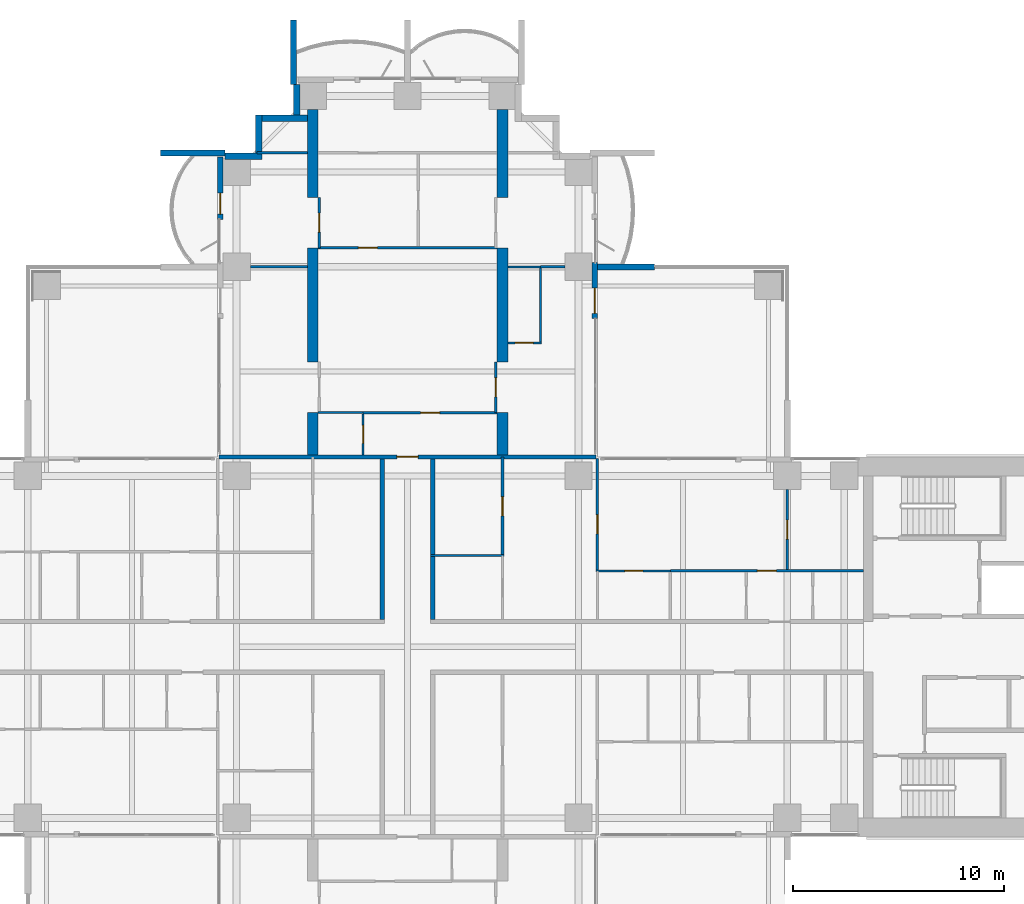
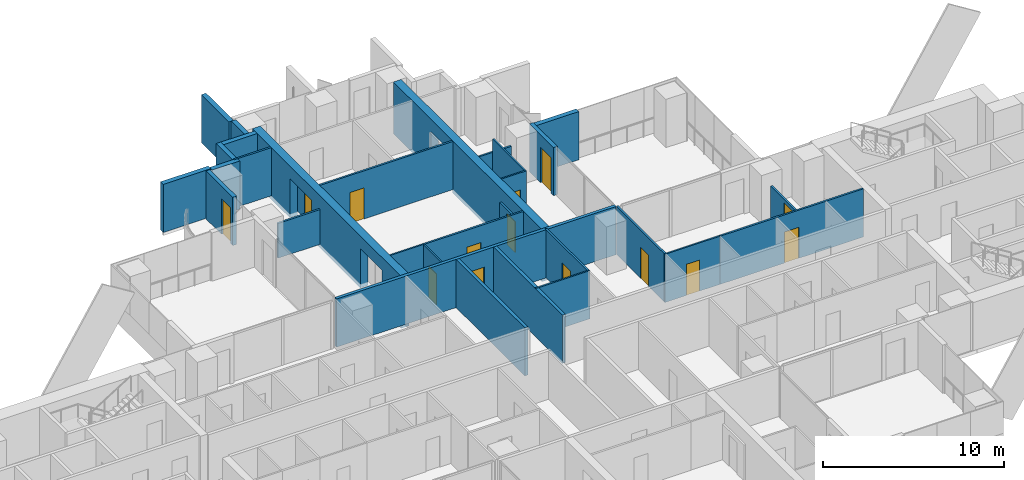
# One storey, part 15 of 21: 32 walls, 14 doors, 14 openings.
"""IFC4 building model written with IfcOpenShell, lengths in metres."""

from ifc_helpers import new_model, si_unit, direction, frame, frame_2d, origin, place, context, subcontext, project, spatial, polyline, rectangle, outline, extrude, material, layer, layer_set, material_profile, profile_set, type_object, element, fill, save


model = new_model("IFC4")

# Units and contexts
model_context = context("Model", 3, precision=1e-05, world=origin(), true_north=direction((0.0, 1.0)))
body_context = subcontext(model_context, "Body", "Model", "MODEL_VIEW")
ifc_project = project(units=[si_unit("LENGTHUNIT", "METRE"), si_unit("AREAUNIT", "SQUARE_METRE"), si_unit("VOLUMEUNIT", "CUBIC_METRE"), si_unit("PLANEANGLEUNIT", "RADIAN"), si_unit("MASSUNIT", "GRAM", prefix="KILO")], contexts=[model_context])

# Site, building, storey
site_placement = place(None, origin())
site = spatial("IfcSite", under=ifc_project, at=site_placement, CompositionType="ELEMENT")
building_placement = place(site_placement, origin())
building = spatial("IfcBuilding", under=site, at=building_placement, Name="Perihelion Cross Residences", CompositionType="ELEMENT")
storey_placement = place(building_placement, frame((0.0, 0.0, 75.0)))
storey = spatial("IfcBuildingStorey", under=building, at=storey_placement, Name="L16", CompositionType="ELEMENT", Elevation=75.0)

# Walls
ifc_material_1 = material(Name="Plasterboard partition")
ifc_layer_1 = layer(ifc_material_1, 0.199951171875)
ifc_layer_set_1 = layer_set([ifc_layer_1], Name="Apartment separation wall 200")
wall_type_1 = type_object("IfcWallType", Name="Apartment separation wall 200", PredefinedType="PARTITIONING", material=ifc_layer_set_1)
for number, where, z_axis, x_axis, name in (
    (1, (1.199951171875, 8.89990234375, 0.0), (0.0, 0.0, 1.0), (0.0, -1.0, 0.0), "Partition L16 W002"),
    (2, (-1.199951171875, 1.300048828125, 0.0), (0.0, 0.0, 1.0), (0.0, 1.0, 0.0), "Partition L16 W006"),
):
    element("IfcWall", number, at=place(storey_placement, frame(where, z_axis=z_axis, x_axis=x_axis)), inside=storey, type_object=wall_type_1, Name=name, PredefinedType="PARTITIONING", context=body_context, shape_type="SweptSolid", body=[
        extrude(rectangle(XDim=7.599853515625, YDim=0.199951171875, at=frame_2d((3.7998046875, 0.0))), origin(), (0.0, 0.0, 1.0), 3.25),
    ])

# Wall, opening, door
wall_1_placement = place(storey_placement, frame((-8.919921875, 9.0, 0.0), z_axis=(0.0, 0.0, 1.0), x_axis=(1.0, 0.0, 0.0)))
wall_1 = element("IfcWall", 3, at=wall_1_placement, inside=storey, type_object=wall_type_1, Name="Partition L16 W009", PredefinedType="PARTITIONING", context=body_context, shape_type="SweptSolid", body=[
    extrude(rectangle(XDim=17.83984375, YDim=0.199951171875, at=frame_2d((8.919921875, 0.0))), origin(), (0.0, 0.0, 1.0), 3.25),
])
opening_1_placement = place(wall_1_placement, frame((8.419921875, 0.0, 0.0)))
opening_1 = element("IfcOpeningElement", 4, at=opening_1_placement, cuts=wall_1, Name="Opening L16.A32", PredefinedType="OPENING", context=body_context, shape_type="SweptSolid", body=[
    extrude(rectangle(XDim=1.0, YDim=2.10009765625, at=frame_2d((0.5, 1.050048828125))), frame((0.0, 0.10986328125, 0.0), z_axis=(0.0, -1.0, 0.0), x_axis=(1.0, 0.0, 0.0)), (0.0, 0.0, 1.0), 0.219970703125),
])
ifc_material_2 = material(Name="Timber door leaf", Category="wood")
door_type_1 = type_object("IfcDoorType", Name="Flat entrance door 1000 x 2100", OperationType="SINGLE_SWING_LEFT", PredefinedType="DOOR", material=ifc_material_2)
door_1_placement = place(opening_1_placement, origin())
door_1 = element("IfcDoor", 5, at=door_1_placement, inside=storey, type_object=door_type_1, Name="Door L16.A32", OperationType="SINGLE_SWING_RIGHT", OverallHeight=2.10009765625, OverallWidth=1.0, PredefinedType="DOOR", context=body_context, shape_type="SweptSolid", body=[
    extrude(rectangle(XDim=1.0, YDim=2.10009765625, at=frame_2d((0.5, 1.050048828125))), frame((0.0, 0.02490234375, 0.0), z_axis=(0.0, -1.0, 0.0), x_axis=(1.0, 0.0, 0.0)), (0.0, 0.0, 1.0), 0.050048828125),
])
fill(opening_1, door_1)

ifc_material_3 = material(Name="Concrete C30/37, bronze-clad", Category="concrete")
ifc_layer_2 = layer(ifc_material_3, 0.25)
ifc_layer_set_2 = layer_set([ifc_layer_2], Name="Bronze-clad pier wall 250")
wall_type_2 = type_object("IfcWallType", Name="Bronze-clad pier wall 250", PredefinedType="SOLIDWALL", material=ifc_layer_set_2)
wall_2_placement = place(storey_placement, frame((8.875, 15.550048828125, 0.0), z_axis=(0.0, 0.0, 1.0), x_axis=(0.0, 1.0, 0.0)))
wall_2 = element("IfcWall", 6, at=wall_2_placement, inside=storey, type_object=wall_type_2, Name="Wall FW1 L16 north side east bay 1 pier", PredefinedType="SOLIDWALL", context=body_context, shape_type="SweptSolid", body=[
    extrude(rectangle(XDim=2.64990234375, YDim=0.25, at=frame_2d((1.324951171875, 0.0))), origin(), (0.0, 0.0, 1.0), 3.25),
])
opening_2_placement = place(wall_2_placement, frame((0.25, 0.0, 0.0)))
opening_2 = element("IfcOpeningElement", 7, at=opening_2_placement, cuts=wall_2, Name="Opening L16.E02", PredefinedType="OPENING", context=body_context, shape_type="SweptSolid", body=[
    extrude(rectangle(XDim=1.199951171875, YDim=2.39990234375, at=frame_2d((0.60009765625, 1.199951171875))), frame((0.0, 0.135009765625, 0.0), z_axis=(0.0, -1.0, 0.0), x_axis=(1.0, 0.0, 0.0)), (0.0, 0.0, 1.0), 0.27001953125),
])
ifc_material_4 = material(Name="Bronze anodised aluminium, glazed", Category="aluminium")
door_type_2 = type_object("IfcDoorType", Name="Balcony door 1200 x 2400", OperationType="NOTDEFINED", PredefinedType="DOOR", material=ifc_material_4)
door_2_placement = place(opening_2_placement, origin())
door_2 = element("IfcDoor", 8, at=door_2_placement, inside=storey, type_object=door_type_2, Name="Door L16.E02 north side east bay 1", OperationType="SINGLE_SWING_LEFT", OverallHeight=2.39990234375, OverallWidth=1.199951171875, PredefinedType="DOOR", context=body_context, shape_type="SweptSolid", body=[
    extrude(rectangle(XDim=1.199951171875, YDim=2.39990234375, at=frame_2d((0.60009765625, 1.199951171875))), frame((0.0, 0.02490234375, 0.0), z_axis=(0.0, -1.0, 0.0), x_axis=(1.0, 0.0, 0.0)), (0.0, 0.0, 1.0), 0.050048828125),
])
fill(opening_2, door_2)

wall_3_placement = place(storey_placement, frame((-8.875, 23.199951171875, 0.0), z_axis=(0.0, 0.0, 1.0), x_axis=(0.0, -1.0, 0.0)))
wall_3 = element("IfcWall", 9, at=wall_3_placement, inside=storey, type_object=wall_type_2, Name="Wall FW1 L16 north side west bay 1 pier", PredefinedType="SOLIDWALL", context=body_context, shape_type="SweptSolid", body=[
    extrude(rectangle(XDim=2.949951171875, YDim=0.25, at=frame_2d((1.47509765625, 0.0))), origin(), (0.0, 0.0, 1.0), 3.25),
])
opening_3_placement = place(wall_3_placement, frame((1.699951171875, 0.0, 0.0)))
opening_3 = element("IfcOpeningElement", 10, at=opening_3_placement, cuts=wall_3, Name="Opening L16.E06", PredefinedType="OPENING", context=body_context, shape_type="SweptSolid", body=[
    extrude(rectangle(XDim=1.0, YDim=2.39990234375, at=frame_2d((0.5, 1.199951171875))), frame((0.0, 0.135009765625, 0.0), z_axis=(0.0, -1.0, 0.0), x_axis=(1.0, 0.0, 0.0)), (0.0, 0.0, 1.0), 0.27001953125),
])
ifc_material_5 = material(Name="Bronze anodised aluminium, glazed", Category="aluminium")
door_type_3 = type_object("IfcDoorType", Name="Balcony door 1000 x 2400", OperationType="NOTDEFINED", PredefinedType="DOOR", material=ifc_material_5)
door_3_placement = place(opening_3_placement, origin())
door_3 = element("IfcDoor", 11, at=door_3_placement, inside=storey, type_object=door_type_3, Name="Door L16.E06 north side west bay 1", OperationType="SINGLE_SWING_LEFT", OverallHeight=2.39990234375, OverallWidth=1.0, PredefinedType="DOOR", context=body_context, shape_type="SweptSolid", body=[
    extrude(rectangle(XDim=1.0, YDim=2.39990234375, at=frame_2d((0.5, 1.199951171875))), frame((0.0, 0.02490234375, 0.0), z_axis=(0.0, -1.0, 0.0), x_axis=(1.0, 0.0, 0.0)), (0.0, 0.0, 1.0), 0.050048828125),
])
fill(opening_3, door_3)

# Walls
ifc_material_6 = material(Name="Concrete C30/37, bronze-clad", Category="concrete")
ifc_layer_3 = layer(ifc_material_6, 0.300048828125)
ifc_layer_set_3 = layer_set([ifc_layer_3], Name="Bronze-clad serration wall 300")
wall_type_3 = type_object("IfcWallType", Name="Bronze-clad serration wall 300", PredefinedType="SOLIDWALL", material=ifc_layer_set_3)
wall_4_placement = place(storey_placement, frame((-5.25, 26.64990234375, 0.0), z_axis=(0.0, 0.0, 1.0), x_axis=(0.0, -1.0, 0.0)))
element("IfcWall", 12, at=wall_4_placement, inside=storey, type_object=wall_type_3, Name="Wall SR1 L16 north corner north-west 1", PredefinedType="SOLIDWALL", context=body_context, shape_type="SweptSolid", body=[
    extrude(rectangle(XDim=1.449951171875, YDim=0.300048828125, at=frame_2d((0.72509765625, 0.0))), origin(), (0.0, 0.0, 1.0), 3.25),
])
wall_5_placement = place(storey_placement, frame((-4.75, 25.050048828125, 0.0), z_axis=(0.0, 0.0, 1.0), x_axis=(-1.0, 0.0, 0.0)))
element("IfcWall", 13, at=wall_5_placement, inside=storey, type_object=wall_type_3, Name="Wall SR1 L16 north corner north-west 2", PredefinedType="SOLIDWALL", context=body_context, shape_type="SweptSolid", body=[
    extrude(rectangle(XDim=2.14990234375, YDim=0.300048828125, at=frame_2d((1.074951171875, 0.0))), origin(), (0.0, 0.0, 1.0), 3.25),
])
wall_6_placement = place(storey_placement, frame((-7.050048828125, 25.199951171875, 0.0), z_axis=(0.0, 0.0, 1.0), x_axis=(0.0, -1.0, 0.0)))
element("IfcWall", 14, at=wall_6_placement, inside=storey, type_object=wall_type_3, Name="Wall SR1 L16 north corner north-west 3", PredefinedType="SOLIDWALL", context=body_context, shape_type="SweptSolid", body=[
    extrude(rectangle(XDim=1.800048828125, YDim=0.300048828125, at=frame_2d((0.89990234375, 0.0))), origin(), (0.0, 0.0, 1.0), 3.25),
])
wall_7_placement = place(storey_placement, frame((-6.89990234375, 23.25, 0.0), z_axis=(0.0, 0.0, 1.0), x_axis=(-1.0, 0.0, 0.0)))
element("IfcWall", 15, at=wall_7_placement, inside=storey, type_object=wall_type_3, Name="Wall SR1 L16 north corner north-west 4", PredefinedType="SOLIDWALL", context=body_context, shape_type="SweptSolid", body=[
    extrude(rectangle(XDim=1.75, YDim=0.300048828125, at=frame_2d((0.875, 0.0))), origin(), (0.0, 0.0, 1.0), 3.25),
])

# Wall, opening, door
ifc_material_7 = material(Name="Plasterboard partition")
ifc_layer_4 = layer(ifc_material_7, 0.1201171875)
ifc_layer_set_4 = layer_set([ifc_layer_4], Name="Infill panel 120")
wall_type_4 = type_object("IfcWallType", Name="Infill panel 120", PredefinedType="PARTITIONING", material=ifc_layer_set_4)
wall_8_placement = place(storey_placement, frame((4.18994140625, 11.10009765625, 0.0), z_axis=(0.0, 0.0, 1.0), x_axis=(0.0, 1.0, 0.0)))
wall_8 = element("IfcWall", 16, at=wall_8_placement, inside=storey, type_object=wall_type_4, Name="Partition L16 WI01", PredefinedType="PARTITIONING", context=body_context, shape_type="SweptSolid", body=[
    extrude(rectangle(XDim=2.39990234375, YDim=0.1201171875, at=frame_2d((1.199951171875, 0.0))), origin(), (0.0, 0.0, 1.0), 2.39990234375),
])
opening_4_placement = place(wall_8_placement, frame((0.75, 0.0, 0.0)))
opening_4 = element("IfcOpeningElement", 17, at=opening_4_placement, cuts=wall_8, Name="Opening L16.A50", PredefinedType="OPENING", context=body_context, shape_type="SweptSolid", body=[
    extrude(rectangle(XDim=0.89990234375, YDim=2.10009765625, at=frame_2d((0.449951171875, 1.050048828125))), frame((0.0, 0.070068359375, 0.0), z_axis=(0.0, -1.0, 0.0), x_axis=(1.0, 0.0, 0.0)), (0.0, 0.0, 1.0), 0.14013671875),
])
ifc_material_8 = material(Name="Timber door leaf", Category="wood")
door_type_4 = type_object("IfcDoorType", Name="Interior room door 900 x 2100", OperationType="SINGLE_SWING_LEFT", PredefinedType="DOOR", material=ifc_material_8)
door_4_placement = place(opening_4_placement, origin())
door_4 = element("IfcDoor", 18, at=door_4_placement, inside=storey, type_object=door_type_4, Name="Door L16.A50", OperationType="SINGLE_SWING_RIGHT", OverallHeight=2.10009765625, OverallWidth=0.89990234375, PredefinedType="DOOR", context=body_context, shape_type="SweptSolid", body=[
    extrude(rectangle(XDim=0.89990234375, YDim=2.10009765625, at=frame_2d((0.449951171875, 1.050048828125))), frame((0.0, 0.02490234375, 0.0), z_axis=(0.0, -1.0, 0.0), x_axis=(1.0, 0.0, 0.0)), (0.0, 0.0, 1.0), 0.050048828125),
])
fill(opening_4, door_4)

wall_9_placement = place(storey_placement, frame((-4.18994140625, 18.89990234375, 0.0), z_axis=(0.0, 0.0, 1.0), x_axis=(0.0, 1.0, 0.0)))
wall_9 = element("IfcWall", 19, at=wall_9_placement, inside=storey, type_object=wall_type_4, Name="Partition L16 WI04", PredefinedType="PARTITIONING", context=body_context, shape_type="SweptSolid", body=[
    extrude(rectangle(XDim=2.400146484375, YDim=0.1201171875, at=frame_2d((1.2001953125, 0.0))), origin(), (0.0, 0.0, 1.0), 2.39990234375),
])
opening_5_placement = place(wall_9_placement, frame((0.75, 0.0, 0.0)))
opening_5 = element("IfcOpeningElement", 20, at=opening_5_placement, cuts=wall_9, Name="Opening L16.A53", PredefinedType="OPENING", context=body_context, shape_type="SweptSolid", body=[
    extrude(rectangle(XDim=0.89990234375, YDim=2.10009765625, at=frame_2d((0.449951171875, 1.050048828125))), frame((0.0, 0.070068359375, 0.0), z_axis=(0.0, -1.0, 0.0), x_axis=(1.0, 0.0, 0.0)), (0.0, 0.0, 1.0), 0.14013671875),
])
door_5_placement = place(opening_5_placement, origin())
door_5 = element("IfcDoor", 21, at=door_5_placement, inside=storey, type_object=door_type_4, Name="Door L16.A53", OperationType="SINGLE_SWING_RIGHT", OverallHeight=2.10009765625, OverallWidth=0.89990234375, PredefinedType="DOOR", context=body_context, shape_type="SweptSolid", body=[
    extrude(rectangle(XDim=0.89990234375, YDim=2.10009765625, at=frame_2d((0.449951171875, 1.050048828125))), frame((0.0, 0.02490234375, 0.0), z_axis=(0.0, -1.0, 0.0), x_axis=(1.0, 0.0, 0.0)), (0.0, 0.0, 1.0), 0.050048828125),
])
fill(opening_5, door_5)

ifc_material_9 = material(Name="Plasterboard partition")
ifc_layer_5 = layer(ifc_material_9, 0.1201171875)
ifc_layer_set_5 = layer_set([ifc_layer_5], Name="Partition wall 120")
wall_type_5 = type_object("IfcWallType", Name="Partition wall 120", PredefinedType="PARTITIONING", material=ifc_layer_set_5)
wall_10_placement = place(storey_placement, frame((12.449951171875, 3.60009765625, 0.0), z_axis=(0.0, 0.0, 1.0), x_axis=(1.0, 0.0, 0.0)))
wall_10 = element("IfcWall", 22, at=wall_10_placement, inside=storey, type_object=wall_type_5, Name="Partition L16 W015", PredefinedType="PARTITIONING", context=body_context, shape_type="SweptSolid", body=[
    extrude(rectangle(XDim=9.150146484375, YDim=0.1201171875, at=frame_2d((4.5751953125, 0.0))), origin(), (0.0, 0.0, 1.0), 3.25),
])
opening_6_placement = place(wall_10_placement, frame((4.125, 0.0, 0.0)))
opening_6 = element("IfcOpeningElement", 23, at=opening_6_placement, cuts=wall_10, Name="Opening L16.A03", PredefinedType="OPENING", context=body_context, shape_type="SweptSolid", body=[
    extrude(rectangle(XDim=0.89990234375, YDim=2.10009765625, at=frame_2d((0.449951171875, 1.050048828125))), frame((0.0, 0.070068359375, 0.0), z_axis=(0.0, -1.0, 0.0), x_axis=(1.0, 0.0, 0.0)), (0.0, 0.0, 1.0), 0.14013671875),
])
door_6_placement = place(opening_6_placement, origin())
door_6 = element("IfcDoor", 24, at=door_6_placement, inside=storey, type_object=door_type_4, Name="Door L16.A03", OperationType="SINGLE_SWING_LEFT", OverallHeight=2.10009765625, OverallWidth=0.89990234375, PredefinedType="DOOR", context=body_context, shape_type="SweptSolid", body=[
    extrude(rectangle(XDim=0.89990234375, YDim=2.10009765625, at=frame_2d((0.449951171875, 1.050048828125))), frame((0.0, 0.02490234375, 0.0), z_axis=(0.0, -1.0, 0.0), x_axis=(1.0, 0.0, 0.0)), (0.0, 0.0, 1.0), 0.050048828125),
])
fill(opening_6, door_6)

wall_11_placement = place(storey_placement, frame((18.0, 7.449951171875, 0.0), z_axis=(0.0, 0.0, 1.0), x_axis=(0.0, -1.0, 0.0)))
wall_11 = element("IfcWall", 25, at=wall_11_placement, inside=storey, type_object=wall_type_5, Name="Partition L16 W017", PredefinedType="PARTITIONING", context=body_context, shape_type="SweptSolid", body=[
    extrude(rectangle(XDim=3.7900390625, YDim=0.1201171875, at=frame_2d((1.89501953125, 0.0))), origin(), (0.0, 0.0, 1.0), 2.345947265625),
])
opening_7_placement = place(wall_11_placement, frame((1.445068359375, 0.0, 0.0)))
opening_7 = element("IfcOpeningElement", 26, at=opening_7_placement, cuts=wall_11, Name="Opening L16.A01", PredefinedType="OPENING", context=body_context, shape_type="SweptSolid", body=[
    extrude(rectangle(XDim=0.89990234375, YDim=2.10009765625, at=frame_2d((0.449951171875, 1.050048828125))), frame((0.0, 0.070068359375, 0.0), z_axis=(0.0, -1.0, 0.0), x_axis=(1.0, 0.0, 0.0)), (0.0, 0.0, 1.0), 0.14013671875),
])
door_7_placement = place(opening_7_placement, origin())
door_7 = element("IfcDoor", 27, at=door_7_placement, inside=storey, type_object=door_type_4, Name="Door L16.A01", OperationType="SINGLE_SWING_LEFT", OverallHeight=2.10009765625, OverallWidth=0.89990234375, PredefinedType="DOOR", context=body_context, shape_type="SweptSolid", body=[
    extrude(rectangle(XDim=0.89990234375, YDim=2.10009765625, at=frame_2d((0.449951171875, 1.050048828125))), frame((0.0, 0.02490234375, 0.0), z_axis=(0.0, -1.0, 0.0), x_axis=(1.0, 0.0, 0.0)), (0.0, 0.0, 1.0), 0.050048828125),
])
fill(opening_7, door_7)

wall_12_placement = place(storey_placement, frame((9.0, 3.60009765625, 0.0), z_axis=(0.0, 0.0, 1.0), x_axis=(0.0, 1.0, 0.0)))
wall_12 = element("IfcWall", 28, at=wall_12_placement, inside=storey, type_object=wall_type_5, Name="Partition L16 W018", PredefinedType="PARTITIONING", context=body_context, shape_type="SweptSolid", body=[
    extrude(rectangle(XDim=5.31982421875, YDim=0.1201171875, at=frame_2d((2.659912109375, 0.0))), origin(), (0.0, 0.0, 1.0), 3.25),
])
opening_8_placement = place(wall_12_placement, frame((1.75, 0.0, 0.0)))
opening_8 = element("IfcOpeningElement", 29, at=opening_8_placement, cuts=wall_12, Name="Opening L16.A05", PredefinedType="OPENING", context=body_context, shape_type="SweptSolid", body=[
    extrude(rectangle(XDim=0.89990234375, YDim=2.10009765625, at=frame_2d((0.449951171875, 1.050048828125))), frame((0.0, 0.070068359375, 0.0), z_axis=(0.0, -1.0, 0.0), x_axis=(1.0, 0.0, 0.0)), (0.0, 0.0, 1.0), 0.14013671875),
])
door_8_placement = place(opening_8_placement, origin())
door_8 = element("IfcDoor", 30, at=door_8_placement, inside=storey, type_object=door_type_4, Name="Door L16.A05", OperationType="SINGLE_SWING_RIGHT", OverallHeight=2.10009765625, OverallWidth=0.89990234375, PredefinedType="DOOR", context=body_context, shape_type="SweptSolid", body=[
    extrude(rectangle(XDim=0.89990234375, YDim=2.10009765625, at=frame_2d((0.449951171875, 1.050048828125))), frame((0.0, 0.02490234375, 0.0), z_axis=(0.0, -1.0, 0.0), x_axis=(1.0, 0.0, 0.0)), (0.0, 0.0, 1.0), 0.050048828125),
])
fill(opening_8, door_8)

wall_13_placement = place(storey_placement, frame((4.5, 4.320068359375, 0.0), z_axis=(0.0, 0.0, 1.0), x_axis=(0.0, 1.0, 0.0)))
wall_13 = element("IfcWall", 31, at=wall_13_placement, inside=storey, type_object=wall_type_5, Name="Partition L16 W020", PredefinedType="PARTITIONING", context=body_context, shape_type="SweptSolid", body=[
    extrude(rectangle(XDim=4.679931640625, YDim=0.1201171875, at=frame_2d((2.33984375, 0.0))), origin(), (0.0, 0.0, 1.0), 3.25),
])
opening_9_placement = place(wall_13_placement, frame((1.889892578125, 0.0, 0.0)))
opening_9 = element("IfcOpeningElement", 32, at=opening_9_placement, cuts=wall_13, Name="Opening L16.A06", PredefinedType="OPENING", context=body_context, shape_type="SweptSolid", body=[
    extrude(rectangle(XDim=0.89990234375, YDim=2.10009765625, at=frame_2d((0.449951171875, 1.050048828125))), frame((0.0, 0.070068359375, 0.0), z_axis=(0.0, -1.0, 0.0), x_axis=(1.0, 0.0, 0.0)), (0.0, 0.0, 1.0), 0.14013671875),
])
door_9_placement = place(opening_9_placement, origin())
door_9 = element("IfcDoor", 33, at=door_9_placement, inside=storey, type_object=door_type_4, Name="Door L16.A06", OperationType="SINGLE_SWING_LEFT", OverallHeight=2.10009765625, OverallWidth=0.89990234375, PredefinedType="DOOR", context=body_context, shape_type="SweptSolid", body=[
    extrude(rectangle(XDim=0.89990234375, YDim=2.10009765625, at=frame_2d((0.449951171875, 1.050048828125))), frame((0.0, 0.02490234375, 0.0), z_axis=(0.0, -1.0, 0.0), x_axis=(1.0, 0.0, 0.0)), (0.0, 0.0, 1.0), 0.050048828125),
])
fill(opening_9, door_9)

wall_14_placement = place(storey_placement, frame((-2.10009765625, 11.10009765625, 0.0), z_axis=(0.0, 0.0, 1.0), x_axis=(1.0, 0.0, 0.0)))
wall_14 = element("IfcWall", 34, at=wall_14_placement, inside=storey, type_object=wall_type_5, Name="Partition L16 W054", PredefinedType="PARTITIONING", context=body_context, shape_type="SweptSolid", body=[
    extrude(rectangle(XDim=6.35009765625, YDim=0.1201171875, at=frame_2d((3.175048828125, 0.0))), origin(), (0.0, 0.0, 1.0), 3.25),
])
opening_10_placement = place(wall_14_placement, frame((2.72509765625, 0.0, 0.0)))
opening_10 = element("IfcOpeningElement", 35, at=opening_10_placement, cuts=wall_14, Name="Opening L16.A34", PredefinedType="OPENING", context=body_context, shape_type="SweptSolid", body=[
    extrude(rectangle(XDim=0.89990234375, YDim=2.10009765625, at=frame_2d((0.449951171875, 1.050048828125))), frame((0.0, 0.070068359375, 0.0), z_axis=(0.0, -1.0, 0.0), x_axis=(1.0, 0.0, 0.0)), (0.0, 0.0, 1.0), 0.14013671875),
])
door_10_placement = place(opening_10_placement, origin())
door_10 = element("IfcDoor", 36, at=door_10_placement, inside=storey, type_object=door_type_4, Name="Door L16.A34", OperationType="SINGLE_SWING_RIGHT", OverallHeight=2.10009765625, OverallWidth=0.89990234375, PredefinedType="DOOR", context=body_context, shape_type="SweptSolid", body=[
    extrude(rectangle(XDim=0.89990234375, YDim=2.10009765625, at=frame_2d((0.449951171875, 1.050048828125))), frame((0.0, 0.02490234375, 0.0), z_axis=(0.0, -1.0, 0.0), x_axis=(1.0, 0.0, 0.0)), (0.0, 0.0, 1.0), 0.050048828125),
])
fill(opening_10, door_10)

wall_15_placement = place(storey_placement, frame((-4.25, 18.89990234375, 0.0), z_axis=(0.0, 0.0, 1.0), x_axis=(1.0, 0.0, 0.0)))
wall_15 = element("IfcWall", 37, at=wall_15_placement, inside=storey, type_object=wall_type_5, Name="Partition L16 W056", PredefinedType="PARTITIONING", context=body_context, shape_type="SweptSolid", body=[
    extrude(rectangle(XDim=8.5, YDim=0.1201171875, at=frame_2d((4.25, 0.0))), origin(), (0.0, 0.0, 1.0), 3.25),
])
opening_11_placement = place(wall_15_placement, frame((1.925048828125, 0.0, 0.0)))
opening_11 = element("IfcOpeningElement", 38, at=opening_11_placement, cuts=wall_15, Name="Opening L16.A35", PredefinedType="OPENING", context=body_context, shape_type="SweptSolid", body=[
    extrude(rectangle(XDim=0.89990234375, YDim=2.10009765625, at=frame_2d((0.449951171875, 1.050048828125))), frame((0.0, 0.070068359375, 0.0), z_axis=(0.0, -1.0, 0.0), x_axis=(1.0, 0.0, 0.0)), (0.0, 0.0, 1.0), 0.14013671875),
])
door_11_placement = place(opening_11_placement, origin())
door_11 = element("IfcDoor", 39, at=door_11_placement, inside=storey, type_object=door_type_4, Name="Door L16.A35", OperationType="SINGLE_SWING_RIGHT", OverallHeight=2.10009765625, OverallWidth=0.89990234375, PredefinedType="DOOR", context=body_context, shape_type="SweptSolid", body=[
    extrude(rectangle(XDim=0.89990234375, YDim=2.10009765625, at=frame_2d((0.449951171875, 1.050048828125))), frame((0.0, 0.02490234375, 0.0), z_axis=(0.0, -1.0, 0.0), x_axis=(1.0, 0.0, 0.0)), (0.0, 0.0, 1.0), 0.050048828125),
])
fill(opening_11, door_11)

# Walls
wall_16_placement = place(storey_placement, frame((6.300048828125, 18.0, 0.0), z_axis=(0.0, 0.0, 1.0), x_axis=(1.0, 0.0, 0.0)))
element("IfcWall", 40, at=wall_16_placement, inside=storey, type_object=wall_type_5, Name="Partition L16 W061", PredefinedType="PARTITIONING", context=body_context, shape_type="SweptSolid", body=[
    extrude(rectangle(XDim=1.14990234375, YDim=0.1201171875, at=frame_2d((0.574951171875, 0.0))), origin(), (0.0, 0.0, 1.0), 2.345947265625),
])
wall_17_placement = place(storey_placement, frame((-7.449951171875, 18.0, 0.0), z_axis=(0.0, 0.0, 1.0), x_axis=(1.0, 0.0, 0.0)))
element("IfcWall", 41, at=wall_17_placement, inside=storey, type_object=wall_type_5, Name="Partition L16 W064", PredefinedType="PARTITIONING", context=body_context, shape_type="SweptSolid", body=[
    extrude(rectangle(XDim=2.699951171875, YDim=0.1201171875, at=frame_2d((1.35009765625, 0.0))), origin(), (0.0, 0.0, 1.0), 2.345947265625),
])
wall_18_placement = place(storey_placement, frame((-7.1201171875, 23.39990234375, 0.0), z_axis=(0.0, 0.0, 1.0), x_axis=(1.0, 0.0, 0.0)))
element("IfcWall", 42, at=wall_18_placement, inside=storey, type_object=wall_type_5, Name="Partition L16 W065", PredefinedType="PARTITIONING", context=body_context, shape_type="SweptSolid", body=[
    extrude(rectangle(XDim=2.3701171875, YDim=0.1201171875, at=frame_2d((1.18505859375, 0.0))), origin(), (0.0, 0.0, 1.0), 3.25),
])
ifc_material_10 = material(Name="Precast concrete C50/60", Category="concrete")
ifc_layer_6 = layer(ifc_material_10, 0.300048828125)
ifc_layer_set_6 = layer_set([ifc_layer_6], Name="Precast concrete C50/60 blade wall 300")
wall_type_6 = type_object("IfcWallType", Name="Precast concrete C50/60 blade wall 300", PredefinedType="SOLIDWALL", material=ifc_layer_set_6)
for number, where, z_axis, x_axis, name in (
    (43, (-8.64990234375, 23.39990234375, 0.0), (0.0, 0.0, 1.0), (-1.0, 0.0, 0.0), "Wall BL1 L16 no. 8"),
    (44, (-5.39990234375, 26.64990234375, 0.0), (0.0, 0.0, 1.0), (0.0, 1.0, 0.0), "Wall BL1 L16 no. 4"),
):
    element("IfcWall", number, at=place(storey_placement, frame(where, z_axis=z_axis, x_axis=x_axis)), inside=storey, type_object=wall_type_6, Name=name, PredefinedType="SOLIDWALL", context=body_context, shape_type="SweptSolid", body=[
        extrude(rectangle(XDim=3.050048828125, YDim=0.300048828125, at=frame_2d((1.52490234375, 0.0))), origin(), (0.0, 0.0, 1.0), 3.25),
    ])
wall_19_placement = place(storey_placement, frame((8.75, 18.0, 0.0), z_axis=(0.0, 0.0, 1.0), x_axis=(1.0, 0.0, 0.0)))
element("IfcWall", 45, at=wall_19_placement, inside=storey, type_object=wall_type_6, Name="Wall BL1 L16 no. 17", PredefinedType="SOLIDWALL", context=body_context, shape_type="SweptSolid", body=[
    extrude(rectangle(XDim=2.949951171875, YDim=0.300048828125, at=frame_2d((1.47509765625, 0.0))), origin(), (0.0, 0.0, 1.0), 3.25),
])
ifc_material_11 = material(Name="Concrete C60/75", Category="concrete")
ifc_material_profile = material_profile(ifc_material_11, outline(polyline([(0.0, 0.0), (2.10009765625, 0.0), (2.10009765625, 2.64990234375), (4.5, 2.64990234375), (4.5, 0.0), (9.89990234375, 0.0), (9.89990234375, 2.64990234375), (12.300048828125, 2.64990234375), (12.300048828125, 0.0), (16.449951171875, 0.0), (16.449951171875, 3.5), (0.0, 3.5), (0.0, 0.0)])), Name="Tip spine wall")
ifc_profile_set = profile_set([ifc_material_profile], Name="Concrete C60/75")
wall_type_7 = type_object("IfcWallType", Name="Tip spine wall 500 with 2 door openings 16450 long 3500 high concrete C60/75 hand B", PredefinedType="SHEAR", material=ifc_profile_set)
for number, where, z_axis, x_axis, name in (
    (46, (-4.75, 9.0, -0.25), (1.0, 0.0, 0.0), (0.0, 1.0, 0.0), "Shear wall SW23 L16 north west"),
    (47, (4.25, 9.0, -0.25), (1.0, 0.0, 0.0), (0.0, 1.0, 0.0), "Shear wall SW23 L16 north east"),
):
    element("IfcWall", number, at=place(storey_placement, frame(where, z_axis=z_axis, x_axis=x_axis)), inside=storey, type_object=wall_type_7, Name=name, PredefinedType="SHEAR", context=body_context, shape_type="SweptSolid", body=[
        extrude(outline(polyline([(0.0, 0.0), (2.10009765625, 0.0), (2.10009765625, 2.64990234375), (4.5, 2.64990234375), (4.5, 0.0), (9.89990234375, 0.0), (9.89990234375, 2.64990234375), (12.300048828125, 2.64990234375), (12.300048828125, 0.0), (16.449951171875, 0.0), (16.449951171875, 3.5), (0.0, 3.5), (0.0, 0.0)])), origin(), (0.0, 0.0, 1.0), 0.5),
    ])

# Wall, opening, door
ifc_material_12 = material(Name="Plasterboard partition")
ifc_layer_7 = layer(ifc_material_12, 0.10009765625)
ifc_layer_set_7 = layer_set([ifc_layer_7], Name="Wet room wall 100")
wall_type_8 = type_object("IfcWallType", Name="Wet room wall 100", PredefinedType="PARTITIONING", material=ifc_layer_set_7)
wall_20_placement = place(storey_placement, frame((8.93994140625, 3.60009765625, 0.0), z_axis=(0.0, 0.0, 1.0), x_axis=(1.0, 0.0, 0.0)))
wall_20 = element("IfcWall", 48, at=wall_20_placement, inside=storey, type_object=wall_type_8, Name="Partition L16 W012", PredefinedType="PARTITIONING", context=body_context, shape_type="SweptSolid", body=[
    extrude(rectangle(XDim=3.510009765625, YDim=0.10009765625, at=frame_2d((1.7548828125, 0.0))), origin(), (0.0, 0.0, 1.0), 3.25),
])
opening_12_placement = place(wall_20_placement, frame((1.360107421875, 0.0, 0.0)))
opening_12 = element("IfcOpeningElement", 49, at=opening_12_placement, cuts=wall_20, Name="Opening L16.A08", PredefinedType="OPENING", context=body_context, shape_type="SweptSolid", body=[
    extrude(rectangle(XDim=0.85009765625, YDim=2.10009765625, at=frame_2d((0.425048828125, 1.050048828125))), frame((0.0, 0.06005859375, 0.0), z_axis=(0.0, -1.0, 0.0), x_axis=(1.0, 0.0, 0.0)), (0.0, 0.0, 1.0), 0.1201171875),
])
ifc_material_13 = material(Name="Timber door leaf", Category="wood")
door_type_5 = type_object("IfcDoorType", Name="Interior bathroom door 850 x 2100", OperationType="SINGLE_SWING_LEFT", PredefinedType="DOOR", material=ifc_material_13)
door_12_placement = place(opening_12_placement, origin())
door_12 = element("IfcDoor", 50, at=door_12_placement, inside=storey, type_object=door_type_5, Name="Door L16.A08", OperationType="SINGLE_SWING_LEFT", OverallHeight=2.10009765625, OverallWidth=0.85009765625, PredefinedType="DOOR", context=body_context, shape_type="SweptSolid", body=[
    extrude(rectangle(XDim=0.85009765625, YDim=2.10009765625, at=frame_2d((0.425048828125, 1.050048828125))), frame((0.0, 0.02490234375, 0.0), z_axis=(0.0, -1.0, 0.0), x_axis=(1.0, 0.0, 0.0)), (0.0, 0.0, 1.0), 0.050048828125),
])
fill(opening_12, door_12)

# Wall
wall_21_placement = place(storey_placement, frame((1.10009765625, 4.320068359375, 0.0), z_axis=(0.0, 0.0, 1.0), x_axis=(1.0, 0.0, 0.0)))
element("IfcWall", 51, at=wall_21_placement, inside=storey, type_object=wall_type_8, Name="Partition L16 W021", PredefinedType="PARTITIONING", context=body_context, shape_type="SweptSolid", body=[
    extrude(rectangle(XDim=3.4599609375, YDim=0.10009765625, at=frame_2d((1.72998046875, 0.0))), origin(), (0.0, 0.0, 1.0), 3.25),
])

# Wall, opening, door
wall_22_placement = place(storey_placement, frame((-2.10009765625, 9.10009765625, 0.0), z_axis=(0.0, 0.0, 1.0), x_axis=(0.0, 1.0, 0.0)))
wall_22 = element("IfcWall", 52, at=wall_22_placement, inside=storey, type_object=wall_type_8, Name="Partition L16 W053", PredefinedType="PARTITIONING", context=body_context, shape_type="SweptSolid", body=[
    extrude(rectangle(XDim=1.93994140625, YDim=0.10009765625, at=frame_2d((0.969970703125, 0.0))), origin(), (0.0, 0.0, 1.0), 3.25),
])
opening_13_placement = place(wall_22_placement, frame((0.544921875, 0.0, 0.0)))
opening_13 = element("IfcOpeningElement", 53, at=opening_13_placement, cuts=wall_22, Name="Opening L16.A33", PredefinedType="OPENING", context=body_context, shape_type="SweptSolid", body=[
    extrude(rectangle(XDim=0.85009765625, YDim=2.10009765625, at=frame_2d((0.425048828125, 1.050048828125))), frame((0.0, 0.06005859375, 0.0), z_axis=(0.0, -1.0, 0.0), x_axis=(1.0, 0.0, 0.0)), (0.0, 0.0, 1.0), 0.1201171875),
])
door_13_placement = place(opening_13_placement, origin())
door_13 = element("IfcDoor", 54, at=door_13_placement, inside=storey, type_object=door_type_5, Name="Door L16.A33", OperationType="SINGLE_SWING_LEFT", OverallHeight=2.10009765625, OverallWidth=0.85009765625, PredefinedType="DOOR", context=body_context, shape_type="SweptSolid", body=[
    extrude(rectangle(XDim=0.85009765625, YDim=2.10009765625, at=frame_2d((0.425048828125, 1.050048828125))), frame((0.0, 0.02490234375, 0.0), z_axis=(0.0, -1.0, 0.0), x_axis=(1.0, 0.0, 0.0)), (0.0, 0.0, 1.0), 0.050048828125),
])
fill(opening_13, door_13)

# Wall
wall_23_placement = place(storey_placement, frame((-4.25, 11.10009765625, 0.0), z_axis=(0.0, 0.0, 1.0), x_axis=(1.0, 0.0, 0.0)))
element("IfcWall", 55, at=wall_23_placement, inside=storey, type_object=wall_type_8, Name="Partition L16 W055", PredefinedType="PARTITIONING", context=body_context, shape_type="SweptSolid", body=[
    extrude(rectangle(XDim=2.14990234375, YDim=0.10009765625, at=frame_2d((1.074951171875, 0.0))), origin(), (0.0, 0.0, 1.0), 3.25),
])

# Wall, opening, door
wall_24_placement = place(storey_placement, frame((4.75, 14.39990234375, 0.0), z_axis=(0.0, 0.0, 1.0), x_axis=(1.0, 0.0, 0.0)))
wall_24 = element("IfcWall", 56, at=wall_24_placement, inside=storey, type_object=wall_type_8, Name="Partition L16 W059", PredefinedType="PARTITIONING", context=body_context, shape_type="SweptSolid", body=[
    extrude(rectangle(XDim=1.60009765625, YDim=0.10009765625, at=frame_2d((0.800048828125, 0.0))), origin(), (0.0, 0.0, 1.0), 3.25),
])
opening_14_placement = place(wall_24_placement, frame((0.35009765625, 0.0, 0.0)))
opening_14 = element("IfcOpeningElement", 57, at=opening_14_placement, cuts=wall_24, Name="Opening L16.A38", PredefinedType="OPENING", context=body_context, shape_type="SweptSolid", body=[
    extrude(rectangle(XDim=0.85009765625, YDim=2.10009765625, at=frame_2d((0.425048828125, 1.050048828125))), frame((0.0, 0.06005859375, 0.0), z_axis=(0.0, -1.0, 0.0), x_axis=(1.0, 0.0, 0.0)), (0.0, 0.0, 1.0), 0.1201171875),
])
door_14_placement = place(opening_14_placement, origin())
door_14 = element("IfcDoor", 58, at=door_14_placement, inside=storey, type_object=door_type_5, Name="Door L16.A38", OperationType="SINGLE_SWING_RIGHT", OverallHeight=2.10009765625, OverallWidth=0.85009765625, PredefinedType="DOOR", context=body_context, shape_type="SweptSolid", body=[
    extrude(rectangle(XDim=0.85009765625, YDim=2.10009765625, at=frame_2d((0.425048828125, 1.050048828125))), frame((0.0, 0.02490234375, 0.0), z_axis=(0.0, -1.0, 0.0), x_axis=(1.0, 0.0, 0.0)), (0.0, 0.0, 1.0), 0.050048828125),
])
fill(opening_14, door_14)

# Walls
wall_25_placement = place(storey_placement, frame((6.300048828125, 14.449951171875, 0.0), z_axis=(0.0, 0.0, 1.0), x_axis=(0.0, 1.0, 0.0)))
element("IfcWall", 59, at=wall_25_placement, inside=storey, type_object=wall_type_8, Name="Partition L16 W060", PredefinedType="PARTITIONING", context=body_context, shape_type="SweptSolid", body=[
    extrude(rectangle(XDim=3.489990234375, YDim=0.10009765625, at=frame_2d((1.7451171875, 0.0))), origin(), (0.0, 0.0, 1.0), 3.25),
])
wall_26_placement = place(storey_placement, frame((4.75, 18.0, 0.0), z_axis=(0.0, 0.0, 1.0), x_axis=(1.0, 0.0, 0.0)))
element("IfcWall", 60, at=wall_26_placement, inside=storey, type_object=wall_type_8, Name="Partition L16 W062", PredefinedType="PARTITIONING", context=body_context, shape_type="SweptSolid", body=[
    extrude(rectangle(XDim=1.550048828125, YDim=0.10009765625, at=frame_2d((0.77490234375, 0.0))), origin(), (0.0, 0.0, 1.0), 2.345947265625),
])

save(model, "model.ifc")
